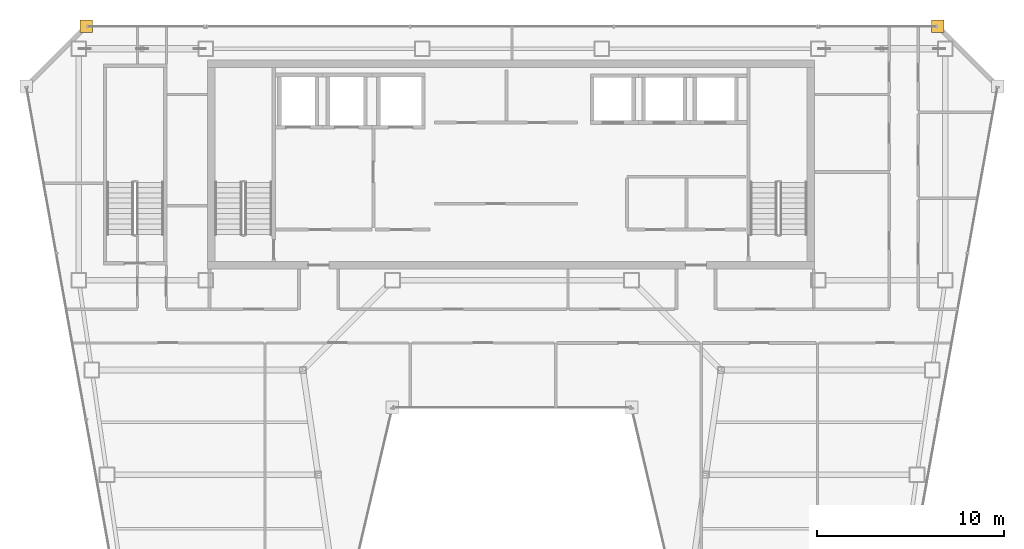
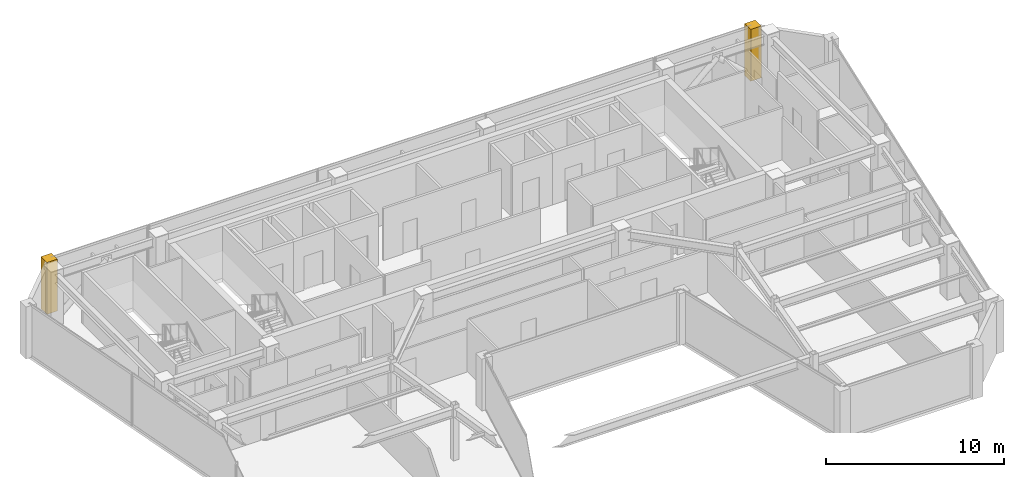
# One storey, part 32 of 32: 2 coverings.
"""IFC4 building model written with IfcOpenShell, lengths in metres."""

from ifc_helpers import new_model, si_unit, direction, frame, origin, place, context, subcontext, project, spatial, polyline, outline, extrude, material, layer, layer_set, type_object, element, save


model = new_model("IFC4")

# Units and contexts
model_context = context("Model", 3, precision=1e-05, world=origin(), true_north=direction((0.0, 1.0)))
body_context = subcontext(model_context, "Body", "Model", "MODEL_VIEW")
ifc_project = project(units=[si_unit("LENGTHUNIT", "METRE"), si_unit("AREAUNIT", "SQUARE_METRE"), si_unit("VOLUMEUNIT", "CUBIC_METRE"), si_unit("PLANEANGLEUNIT", "RADIAN"), si_unit("MASSUNIT", "GRAM", prefix="KILO")], contexts=[model_context])

# Site, building, storey
site_placement = place(None, origin())
site = spatial("IfcSite", under=ifc_project, at=site_placement, CompositionType="ELEMENT")
building_placement = place(site_placement, origin())
building = spatial("IfcBuilding", under=site, at=building_placement, Name="Saevonmaru Cultural Tower", CompositionType="ELEMENT")
storey_placement = place(building_placement, frame((0.0, 0.0, 257.199951171875)))
storey = spatial("IfcBuildingStorey", under=building, at=storey_placement, Name="L60", CompositionType="ELEMENT", Elevation=257.199951171875)

# Coverings
ifc_material = material(Name="Satin Bronze Anodised Aluminium", Category="aluminium")
ifc_layer = layer(ifc_material, 0.679931640625, Name="Satin Bronze Anodised Aluminium")
ifc_layer_set = layer_set([ifc_layer], Name="Satin Bronze Anodised Aluminium")
covering_type = type_object("IfcCoveringType", Name="CV-CORNER-CLAD", PredefinedType="CLADDING", material=ifc_layer_set)
covering_1_placement = place(storey_placement, origin())
element("IfcCovering", 1, at=covering_1_placement, inside=storey, type_object=covering_type, Name="L60 Tower Bronze Corner Cladding Pier 10", PredefinedType="CLADDING", context=body_context, shape_type="SweptSolid", body=[
    extrude(outline(polyline([(52.4599609375, 55.659912109375), (53.139892578125, 55.659912109375), (53.139892578125, 56.340087890625), (52.4599609375, 56.340087890625), (52.4599609375, 55.659912109375)])), origin(), (0.0, 0.0, 1.0), 3.550048828125),
])
covering_2_placement = place(storey_placement, origin())
element("IfcCovering", 2, at=covering_2_placement, inside=storey, type_object=covering_type, Name="L60 Tower Bronze Corner Cladding Pier 11", PredefinedType="CLADDING", context=body_context, shape_type="SweptSolid", body=[
    extrude(outline(polyline([(6.860107421875, 55.659912109375), (7.5400390625, 55.659912109375), (7.5400390625, 56.340087890625), (6.860107421875, 56.340087890625), (6.860107421875, 55.659912109375)])), origin(), (0.0, 0.0, 1.0), 3.550048828125),
])

save(model, "model.ifc")
